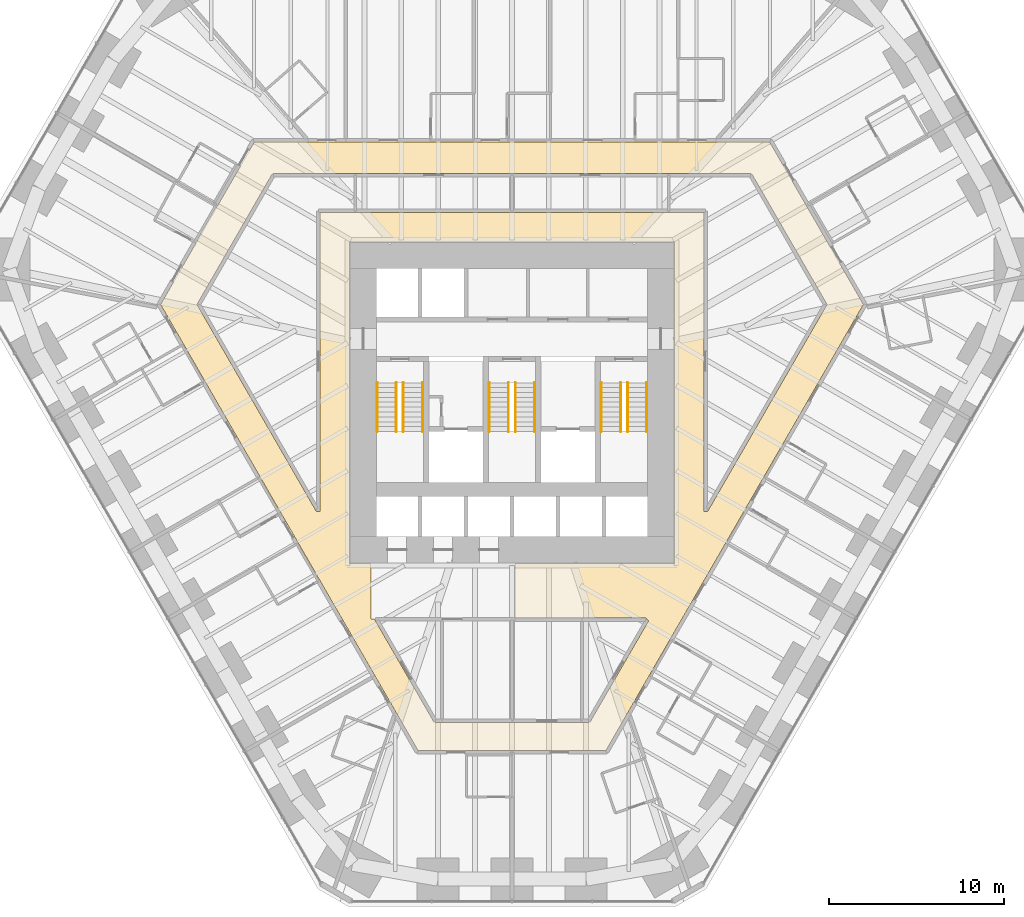
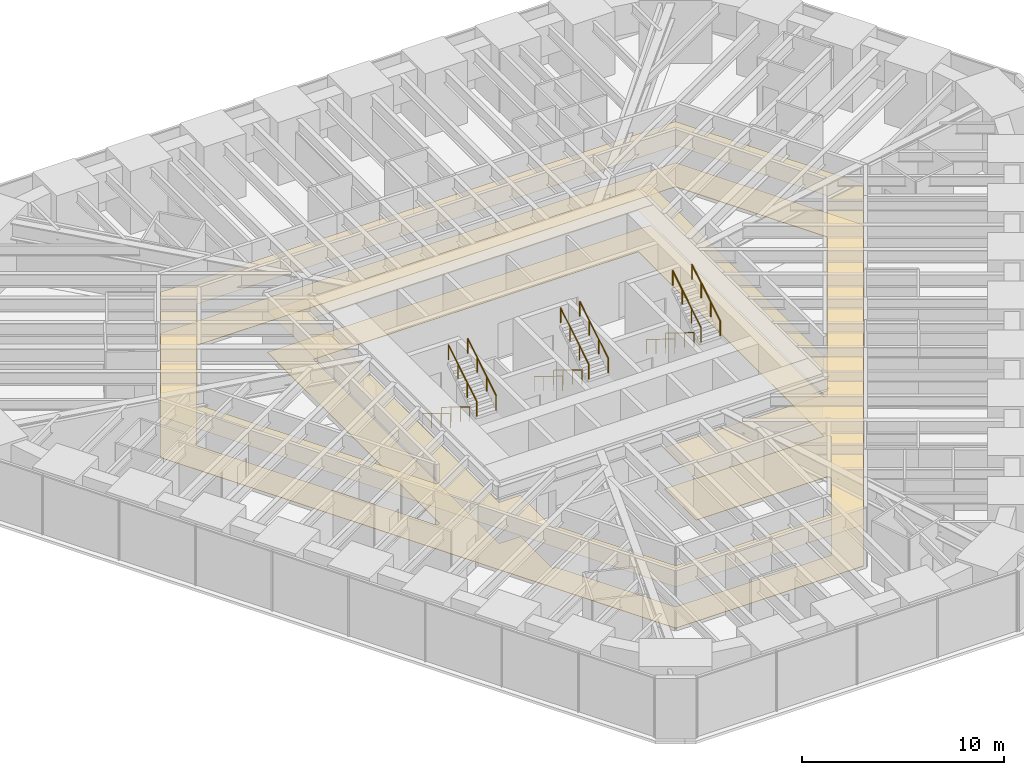
# One storey, part 17 of 17: 12 railings, 2 coverings.
"""IFC4 building model written with IfcOpenShell, lengths in metres."""

from ifc_helpers import new_model, si_unit, direction, frame, origin, origin_2d, place, context, subcontext, project, spatial, polyline, circle, outline, extrude, material, layer, layer_set, type_object, element, save


model = new_model("IFC4")

# Units and contexts
model_context = context("Model", 3, precision=1e-05, world=origin(), true_north=direction((0.0, 1.0)))
body_context = subcontext(model_context, "Body", "Model", "MODEL_VIEW")
ifc_project = project(units=[si_unit("LENGTHUNIT", "METRE"), si_unit("AREAUNIT", "SQUARE_METRE"), si_unit("VOLUMEUNIT", "CUBIC_METRE"), si_unit("PLANEANGLEUNIT", "RADIAN"), si_unit("MASSUNIT", "GRAM", prefix="KILO")], contexts=[model_context])

# Site, building, storey
site_placement = place(None, origin())
site = spatial("IfcSite", under=ifc_project, at=site_placement, CompositionType="ELEMENT")
building_placement = place(site_placement, origin())
building = spatial("IfcBuilding", under=site, at=building_placement, Name="Sandreach Pilgrim Tower", CompositionType="ELEMENT")
storey_placement = place(building_placement, frame((0.0, 0.0, 26.800048828125)))
storey = spatial("IfcBuildingStorey", under=building, at=storey_placement, Name="L05", CompositionType="ELEMENT", Elevation=26.800048828125)

# Covering
ifc_material_1 = material(Name="Gypsum board suspended ceiling on a steel grid", Category="steel")
ifc_layer_1 = layer(ifc_material_1, 0.012939453125)
ifc_layer_set_1 = layer_set([ifc_layer_1], Name="Gypsum board suspended ceiling")
covering_type_1 = type_object("IfcCoveringType", Name="Gypsum board suspended ceiling", PredefinedType="CEILING", material=ifc_layer_set_1)
covering_1_placement = place(storey_placement, frame((0.0, 0.0, 2.5)))
element("IfcCovering", 1, at=covering_1_placement, inside=storey, type_object=covering_type_1, Name="Ceiling 05C Corridor 05", PredefinedType="CEILING", context=body_context, shape_type="SweptSolid", body=[
    extrude(outline(polyline([(-5.3623046875, -21.409912109375), (-20.064453125, 4.06005859375), (-14.7021484375, 13.35009765625), (14.7021484375, 13.35009765625), (20.064453125, 4.06005859375), (5.3623046875, -21.409912109375), (-5.3623046875, -21.409912109375)]), holes=[polyline([(-11.16552734375, -7.760009765625), (-10.949951171875, -7.760009765625), (-10.949951171875, 9.300048828125), (10.949951171875, 9.300048828125), (10.949951171875, -7.760009765625), (11.16552734375, -7.760009765625), (17.9853515625, 4.06005859375), (13.667724609375, 11.550048828125), (-13.667724609375, 11.550048828125), (-17.9853515625, 4.06005859375), (-11.16552734375, -7.760009765625)]), polyline([(-8.050048828125, -10.719970703125), (-8.050048828125, -13.89990234375), (-7.8544921875, -13.89990234375), (-4.437744140625, -19.81005859375), (4.437744140625, -19.81005859375), (7.796630859375, -14.0), (7.635009765625, -13.85009765625), (0.179931640625, -13.85009765625), (0.175048828125, -10.719970703125), (9.27001953125, -10.719970703125), (9.27001953125, 7.6201171875), (-9.27001953125, 7.6201171875), (-9.27001953125, -10.719970703125), (-8.050048828125, -10.719970703125)])]), origin(), (0.0, 0.0, 1.0), 0.012939453125),
])

# Railings
ifc_material_2 = material(Name="Stainless steel tube", Category="steel")
railing_type = type_object("IfcRailingType", Name="Stair handrail", PredefinedType="HANDRAIL", material=ifc_material_2)
for number, where, name in (
    (2, (-6.60009765625, -0.39990234375, 0.172607421875), "Handrail ST1 L05 flight 1"),
    (3, (-7.699951171875, -0.39990234375, 0.172607421875), "Handrail ST1 L05 flight 1"),
):
    element("IfcRailing", number, at=place(storey_placement, frame(where)), inside=storey, type_object=railing_type, Name=name, PredefinedType="HANDRAIL", context=body_context, shape_type="SweptSolid", body=[
        extrude(circle(Radius=0.02392578125, at=origin_2d()), frame((0.0, 0.0, 0.8759765625), z_axis=(0.0, -0.851089632645, 0.525020415988), x_axis=(1.0, 0.0, 0.0)), (0.0, 0.0, 1.0), 3.2900390625),
        extrude(circle(Radius=0.02099609375, at=origin_2d()), origin(), (0.0, 0.0, 1.0), 0.851806640625),
        extrude(circle(Radius=0.02099609375, at=origin_2d()), frame((0.0, -0.933349609375, 0.57568359375)), (0.0, 0.0, 1.0), 0.851806640625),
        extrude(circle(Radius=0.02099609375, at=origin_2d()), frame((0.0, -1.86669921875, 1.151611328125)), (0.0, 0.0, 1.0), 0.851806640625),
        extrude(circle(Radius=0.02099609375, at=origin_2d()), frame((0.0, -2.800048828125, 1.727294921875)), (0.0, 0.0, 1.0), 0.851806640625),
    ])
for number, where, name in (
    (4, (-6.199951171875, -3.199951171875, 2.07275390625), "Handrail ST1 L05 flight 2"),
    (5, (-5.10009765625, -3.199951171875, 2.07275390625), "Handrail ST1 L05 flight 2"),
):
    element("IfcRailing", number, at=place(storey_placement, frame(where)), inside=storey, type_object=railing_type, Name=name, PredefinedType="HANDRAIL", context=body_context, shape_type="SweptSolid", body=[
        extrude(circle(Radius=0.02392578125, at=origin_2d()), frame((0.0, 0.0, 0.8759765625), z_axis=(0.0, 0.851089632645, 0.525020415988), x_axis=(-1.0, 0.0, 0.0)), (0.0, 0.0, 1.0), 3.2900390625),
        extrude(circle(Radius=0.02099609375, at=origin_2d()), origin(), (0.0, 0.0, 1.0), 0.851806640625),
        extrude(circle(Radius=0.02099609375, at=origin_2d()), frame((0.0, 0.933349609375, 0.57568359375)), (0.0, 0.0, 1.0), 0.851806640625),
        extrude(circle(Radius=0.02099609375, at=origin_2d()), frame((0.0, 1.86669921875, 1.151611328125)), (0.0, 0.0, 1.0), 0.851806640625),
        extrude(circle(Radius=0.02099609375, at=origin_2d()), frame((0.0, 2.800048828125, 1.727294921875)), (0.0, 0.0, 1.0), 0.851806640625),
    ])
for number, where, name in (
    (6, (-0.199951171875, -0.39990234375, 0.172607421875), "Handrail ST3 L05 flight 1"),
    (7, (-1.300048828125, -0.39990234375, 0.172607421875), "Handrail ST3 L05 flight 1"),
):
    element("IfcRailing", number, at=place(storey_placement, frame(where)), inside=storey, type_object=railing_type, Name=name, PredefinedType="HANDRAIL", context=body_context, shape_type="SweptSolid", body=[
        extrude(circle(Radius=0.02392578125, at=origin_2d()), frame((0.0, 0.0, 0.8759765625), z_axis=(0.0, -0.851089632645, 0.525020415988), x_axis=(1.0, 0.0, 0.0)), (0.0, 0.0, 1.0), 3.2900390625),
        extrude(circle(Radius=0.02099609375, at=origin_2d()), origin(), (0.0, 0.0, 1.0), 0.851806640625),
        extrude(circle(Radius=0.02099609375, at=origin_2d()), frame((0.0, -0.933349609375, 0.57568359375)), (0.0, 0.0, 1.0), 0.851806640625),
        extrude(circle(Radius=0.02099609375, at=origin_2d()), frame((0.0, -1.86669921875, 1.151611328125)), (0.0, 0.0, 1.0), 0.851806640625),
        extrude(circle(Radius=0.02099609375, at=origin_2d()), frame((0.0, -2.800048828125, 1.727294921875)), (0.0, 0.0, 1.0), 0.851806640625),
    ])
for number, where, name in (
    (8, (0.199951171875, -3.199951171875, 2.07275390625), "Handrail ST3 L05 flight 2"),
    (9, (1.300048828125, -3.199951171875, 2.07275390625), "Handrail ST3 L05 flight 2"),
):
    element("IfcRailing", number, at=place(storey_placement, frame(where)), inside=storey, type_object=railing_type, Name=name, PredefinedType="HANDRAIL", context=body_context, shape_type="SweptSolid", body=[
        extrude(circle(Radius=0.02392578125, at=origin_2d()), frame((0.0, 0.0, 0.8759765625), z_axis=(0.0, 0.851089632645, 0.525020415988), x_axis=(-1.0, 0.0, 0.0)), (0.0, 0.0, 1.0), 3.2900390625),
        extrude(circle(Radius=0.02099609375, at=origin_2d()), origin(), (0.0, 0.0, 1.0), 0.851806640625),
        extrude(circle(Radius=0.02099609375, at=origin_2d()), frame((0.0, 0.933349609375, 0.57568359375)), (0.0, 0.0, 1.0), 0.851806640625),
        extrude(circle(Radius=0.02099609375, at=origin_2d()), frame((0.0, 1.86669921875, 1.151611328125)), (0.0, 0.0, 1.0), 0.851806640625),
        extrude(circle(Radius=0.02099609375, at=origin_2d()), frame((0.0, 2.800048828125, 1.727294921875)), (0.0, 0.0, 1.0), 0.851806640625),
    ])
for number, where, name in (
    (10, (6.199951171875, -0.39990234375, 0.172607421875), "Handrail ST2 L05 flight 1"),
    (11, (5.10009765625, -0.39990234375, 0.172607421875), "Handrail ST2 L05 flight 1"),
):
    element("IfcRailing", number, at=place(storey_placement, frame(where)), inside=storey, type_object=railing_type, Name=name, PredefinedType="HANDRAIL", context=body_context, shape_type="SweptSolid", body=[
        extrude(circle(Radius=0.02392578125, at=origin_2d()), frame((0.0, 0.0, 0.8759765625), z_axis=(0.0, -0.851089632645, 0.525020415988), x_axis=(1.0, 0.0, 0.0)), (0.0, 0.0, 1.0), 3.2900390625),
        extrude(circle(Radius=0.02099609375, at=origin_2d()), origin(), (0.0, 0.0, 1.0), 0.851806640625),
        extrude(circle(Radius=0.02099609375, at=origin_2d()), frame((0.0, -0.933349609375, 0.57568359375)), (0.0, 0.0, 1.0), 0.851806640625),
        extrude(circle(Radius=0.02099609375, at=origin_2d()), frame((0.0, -1.86669921875, 1.151611328125)), (0.0, 0.0, 1.0), 0.851806640625),
        extrude(circle(Radius=0.02099609375, at=origin_2d()), frame((0.0, -2.800048828125, 1.727294921875)), (0.0, 0.0, 1.0), 0.851806640625),
    ])
for number, where, name in (
    (12, (6.60009765625, -3.199951171875, 2.07275390625), "Handrail ST2 L05 flight 2"),
    (13, (7.699951171875, -3.199951171875, 2.07275390625), "Handrail ST2 L05 flight 2"),
):
    element("IfcRailing", number, at=place(storey_placement, frame(where)), inside=storey, type_object=railing_type, Name=name, PredefinedType="HANDRAIL", context=body_context, shape_type="SweptSolid", body=[
        extrude(circle(Radius=0.02392578125, at=origin_2d()), frame((0.0, 0.0, 0.8759765625), z_axis=(0.0, 0.851089632645, 0.525020415988), x_axis=(-1.0, 0.0, 0.0)), (0.0, 0.0, 1.0), 3.2900390625),
        extrude(circle(Radius=0.02099609375, at=origin_2d()), origin(), (0.0, 0.0, 1.0), 0.851806640625),
        extrude(circle(Radius=0.02099609375, at=origin_2d()), frame((0.0, 0.933349609375, 0.57568359375)), (0.0, 0.0, 1.0), 0.851806640625),
        extrude(circle(Radius=0.02099609375, at=origin_2d()), frame((0.0, 1.86669921875, 1.151611328125)), (0.0, 0.0, 1.0), 0.851806640625),
        extrude(circle(Radius=0.02099609375, at=origin_2d()), frame((0.0, 2.800048828125, 1.727294921875)), (0.0, 0.0, 1.0), 0.851806640625),
    ])

# Covering
ifc_material_3 = material(Name="Cement terrazzo, ground and polished", Category="terrazzo")
ifc_layer_2 = layer(ifc_material_3, 0.02490234375)
ifc_layer_set_2 = layer_set([ifc_layer_2], Name="Terrazzo")
covering_type_2 = type_object("IfcCoveringType", Name="Terrazzo", PredefinedType="FLOORING", material=ifc_layer_set_2)
covering_2_placement = place(storey_placement, origin())
element("IfcCovering", 14, at=covering_2_placement, inside=storey, type_object=covering_type_2, Name="Floor finish 05C Corridor 05", PredefinedType="FLOORING", context=body_context, shape_type="SweptSolid", body=[
    extrude(outline(polyline([(-5.3623046875, -21.409912109375), (-20.064453125, 4.06005859375), (-14.7021484375, 13.35009765625), (14.7021484375, 13.35009765625), (20.064453125, 4.06005859375), (5.3623046875, -21.409912109375), (-5.3623046875, -21.409912109375)]), holes=[polyline([(-11.16552734375, -7.760009765625), (-10.949951171875, -7.760009765625), (-10.949951171875, 9.300048828125), (10.949951171875, 9.300048828125), (10.949951171875, -7.760009765625), (11.16552734375, -7.760009765625), (17.9853515625, 4.06005859375), (13.667724609375, 11.550048828125), (-13.667724609375, 11.550048828125), (-17.9853515625, 4.06005859375), (-11.16552734375, -7.760009765625)]), polyline([(-8.050048828125, -10.719970703125), (-8.050048828125, -13.89990234375), (-7.8544921875, -13.89990234375), (-4.437744140625, -19.81005859375), (4.437744140625, -19.81005859375), (7.796630859375, -14.0), (7.635009765625, -13.85009765625), (0.179931640625, -13.85009765625), (0.175048828125, -10.719970703125), (9.27001953125, -10.719970703125), (9.27001953125, 7.6201171875), (-9.27001953125, 7.6201171875), (-9.27001953125, -10.719970703125), (-8.050048828125, -10.719970703125)])]), origin(), (0.0, 0.0, 1.0), 0.02490234375),
])

save(model, "model.ifc")
